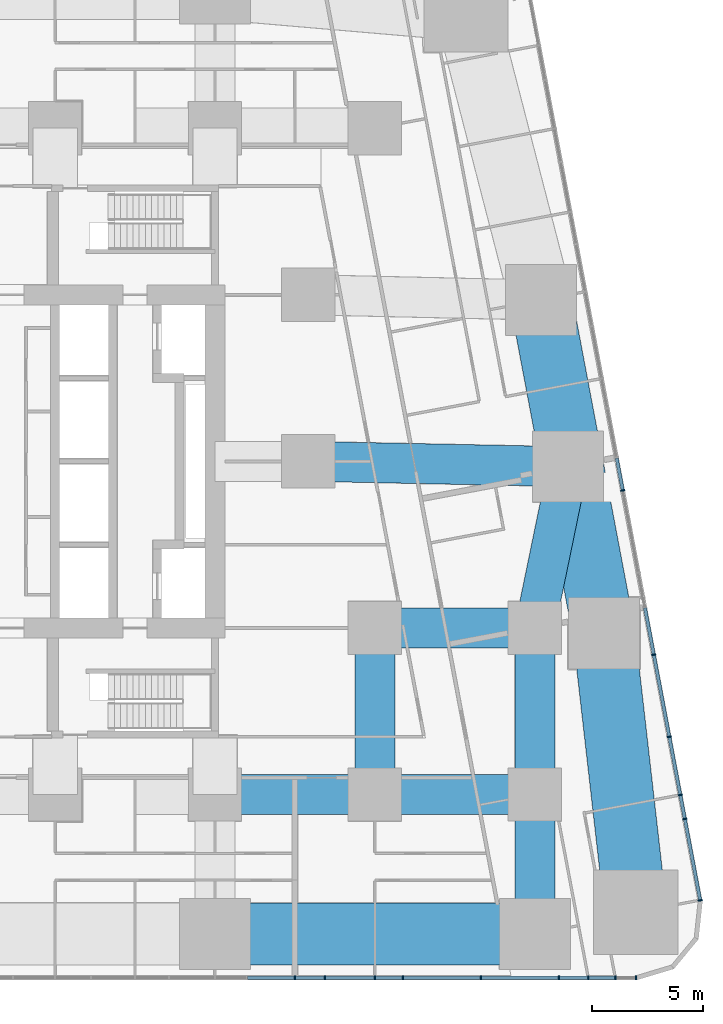
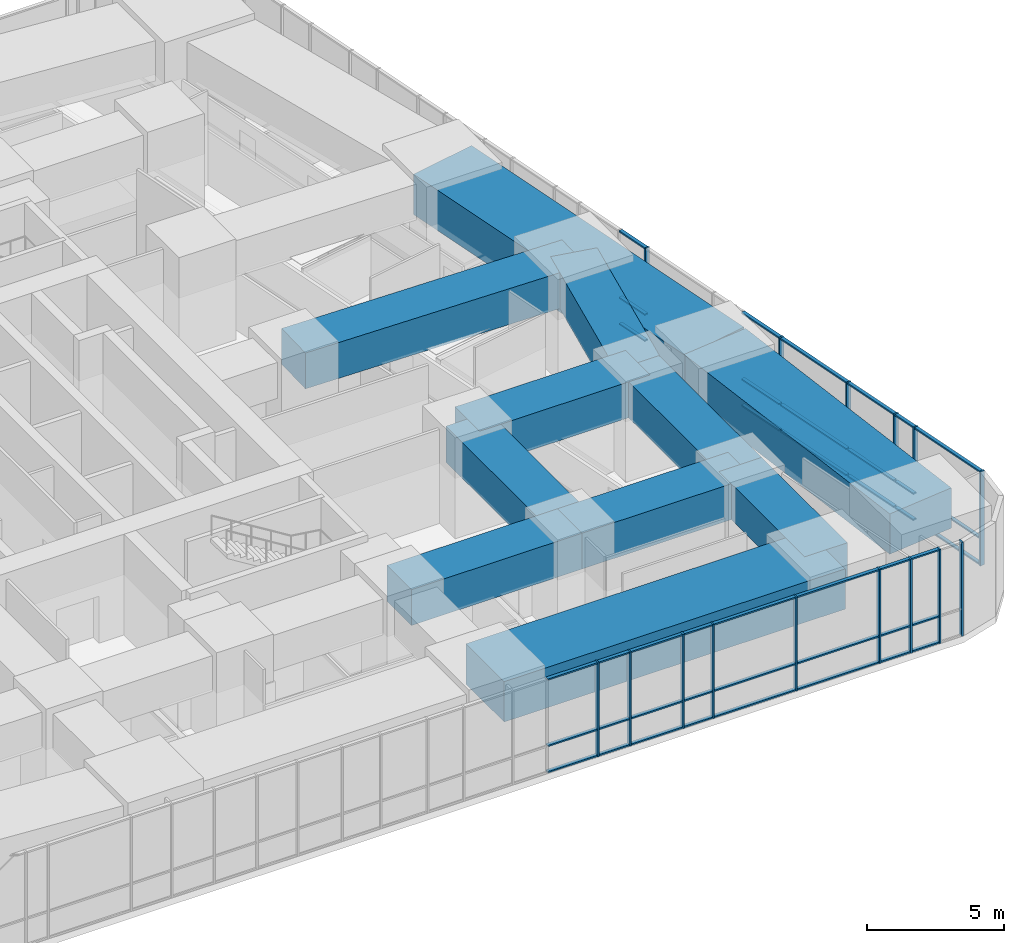
# One storey, part 5 of 23: 57 members, 11 beams, 2 elements without a shape of their own.
"""IFC4 building model written with IfcOpenShell, lengths in metres."""

from ifc_helpers import new_model, si_unit, direction, frame, origin, origin_2d, place, context, subcontext, project, spatial, rectangle, extrude, material, material_profile, profile_set, type_object, element, aggregate, save


model = new_model("IFC4")

# Units and contexts
model_context = context("Model", 3, precision=1e-05, world=origin(), true_north=direction((0.0, 1.0)))
body_context = subcontext(model_context, "Body", "Model", "MODEL_VIEW")
ifc_project = project(units=[si_unit("LENGTHUNIT", "METRE"), si_unit("AREAUNIT", "SQUARE_METRE"), si_unit("VOLUMEUNIT", "CUBIC_METRE"), si_unit("PLANEANGLEUNIT", "RADIAN"), si_unit("MASSUNIT", "GRAM", prefix="KILO")], contexts=[model_context])

# Site, building, storey
site_placement = place(None, origin())
site = spatial("IfcSite", under=ifc_project, at=site_placement, CompositionType="ELEMENT")
building_placement = place(site_placement, origin())
building = spatial("IfcBuilding", under=site, at=building_placement, Name="Sheger Commons Tower", CompositionType="ELEMENT")
storey_placement = place(building_placement, frame((0.0, 0.0, 5.60009765625)))
storey = spatial("IfcBuildingStorey", under=building, at=storey_placement, Name="L01", CompositionType="ELEMENT", Elevation=5.60009765625)

# Beams
ifc_material_1 = material(Name="Concrete C50/60", Category="concrete")
ifc_material_profile_1 = material_profile(ifc_material_1, rectangle(XDim=1.800048828125, YDim=1.60009765625, at=origin_2d()), Name="RC 1800x1600")
ifc_profile_set_1 = profile_set([ifc_material_profile_1], Name="Concrete C50/60")
beam_type_1 = type_object("IfcBeamType", Name="BEAM RC 1800x1600", PredefinedType="BEAM", material=ifc_profile_set_1)
for number, where, z_axis, x_axis, name in (
    (1, (28.800048828125, 7.5, 3.39990234375), (1.0, 0.0, 0.0), (0.0, 1.0, 0.0), "Beam 5/B-6/B under L02"),
    (2, (36.0, 7.5, 3.39990234375), (1.0, 0.0, 0.0), (0.0, 1.0, 0.0), "Beam 6/B-7/B under L02"),
    (3, (36.0, 15.0, 3.39990234375), (1.0, 0.0, 0.0), (0.0, 1.0, 0.0), "Beam 6/C-7/C under L02"),
):
    element("IfcBeam", number, at=place(storey_placement, frame(where, z_axis=z_axis, x_axis=x_axis)), inside=storey, type_object=beam_type_1, Name=name, PredefinedType="BEAM", context=body_context, shape_type="SweptSolid", body=[
        extrude(rectangle(XDim=1.800048828125, YDim=1.60009765625, at=origin_2d()), origin(), (0.0, 0.0, 1.0), 7.199951171875),
    ])
beam_1_placement = place(storey_placement, frame((33.0, 22.5, 3.39990234375), z_axis=(0.999794692776, -0.02026258368, 0.0), x_axis=(0.02026258368, 0.999794692776, 0.0)))
element("IfcBeam", 4, at=beam_1_placement, inside=storey, type_object=beam_type_1, Name="Beam 6-3000/D-7/D under L02", PredefinedType="BEAM", context=body_context, shape_type="SweptSolid", body=[
    extrude(rectangle(XDim=1.800048828125, YDim=1.60009765625, at=origin_2d()), origin(), (0.0, 0.0, 1.0), 11.699462890625),
])
beam_2_placement = place(storey_placement, frame((36.0, 7.5, 3.39990234375), z_axis=(0.0, 1.0, 0.0), x_axis=(-1.0, 0.0, 0.0)))
element("IfcBeam", 5, at=beam_2_placement, inside=storey, type_object=beam_type_1, Name="Beam 6/B-6/C under L02", PredefinedType="BEAM", context=body_context, shape_type="SweptSolid", body=[
    extrude(rectangle(XDim=1.800048828125, YDim=1.60009765625, at=origin_2d()), origin(), (0.0, 0.0, 1.0), 7.5),
])
beam_3_placement = place(storey_placement, frame((43.199951171875, 1.22509765625, 3.39990234375), z_axis=(0.0, 1.0, 0.0), x_axis=(-1.0, 0.0, 0.0)))
element("IfcBeam", 6, at=beam_3_placement, inside=storey, type_object=beam_type_1, Name="Beam 7/A-7/B under L02", PredefinedType="BEAM", context=body_context, shape_type="SweptSolid", body=[
    extrude(rectangle(XDim=1.800048828125, YDim=1.60009765625, at=origin_2d()), origin(), (0.0, 0.0, 1.0), 6.27490234375),
])
beam_4_placement = place(storey_placement, frame((43.199951171875, 7.5, 3.39990234375), z_axis=(0.0, 1.0, 0.0), x_axis=(-1.0, 0.0, 0.0)))
element("IfcBeam", 7, at=beam_4_placement, inside=storey, type_object=beam_type_1, Name="Beam 7/B-7/C under L02", PredefinedType="BEAM", context=body_context, shape_type="SweptSolid", body=[
    extrude(rectangle(XDim=1.800048828125, YDim=1.60009765625, at=origin_2d()), origin(), (0.0, 0.0, 1.0), 7.5),
])
beam_5_placement = place(storey_placement, frame((43.199951171875, 15.0, 3.39990234375), z_axis=(0.201880503661, 0.979410160373, 0.0), x_axis=(-0.979410160373, 0.201880503661, 0.0)))
element("IfcBeam", 8, at=beam_5_placement, inside=storey, type_object=beam_type_1, Name="Beam 7/C-7/D under L02", PredefinedType="BEAM", context=body_context, shape_type="SweptSolid", body=[
    extrude(rectangle(XDim=1.800048828125, YDim=1.60009765625, at=origin_2d()), origin(), (0.0, 0.0, 1.0), 7.41552734375),
])

# Curtain wall, members
ifc_material_2 = material(Name="Black aluminium curtain wall, dark tinted glazing", Category="aluminium")
curtain_wall_type = type_object("IfcCurtainWallType", Name="CURTAIN WALL CW2 HEALTH CENTRE", PredefinedType="USERDEFINED", material=ifc_material_2)
curtain_wall_1_placement = place(storey_placement, origin())
curtain_wall_1 = element("IfcCurtainWall", 9, at=curtain_wall_1_placement, inside=storey, type_object=curtain_wall_type, Name="Curtain Wall Cw2 Health Centre S1 L01", ObjectType="STICK CURTAIN WALL", PredefinedType="USERDEFINED")
ifc_material_3 = material(Name="Black anodised aluminium", Category="aluminium")
ifc_material_profile_2 = material_profile(ifc_material_3, rectangle(XDim=0.199951171875, YDim=0.06494140625, at=origin_2d()), Name="AL 65x200")
ifc_profile_set_2 = profile_set([ifc_material_profile_2], Name="Black anodised aluminium")
member_type_1 = type_object("IfcMemberType", Name="MULLION AL 65x200", PredefinedType="MULLION", material=ifc_profile_set_2)
member_1_placement = place(storey_placement, frame((32.39990234375, -0.75, 0.0), z_axis=(0.0, 0.0, 1.0), x_axis=(0.0, 1.0, 0.0)))
member_1 = element("IfcMember", 10, at=member_1_placement, type_object=member_type_1, Name="CW2 mullion 18", PredefinedType="MULLION", context=body_context, shape_type="SweptSolid", body=[
    extrude(rectangle(XDim=0.199951171875, YDim=0.06494140625, at=origin_2d()), origin(), (0.0, 0.0, 1.0), 4.199951171875),
])
member_2_placement = place(storey_placement, frame((33.751953125, -0.75, 0.0), z_axis=(0.0, 0.0, 1.0), x_axis=(0.0, 1.0, 0.0)))
member_2 = element("IfcMember", 11, at=member_2_placement, type_object=member_type_1, Name="CW2 mullion 19", PredefinedType="MULLION", context=body_context, shape_type="SweptSolid", body=[
    extrude(rectangle(XDim=0.199951171875, YDim=0.06494140625, at=origin_2d()), origin(), (0.0, 0.0, 1.0), 4.199951171875),
])
member_3_placement = place(storey_placement, frame((36.0, -0.75, 0.0), z_axis=(0.0, 0.0, 1.0), x_axis=(0.0, 1.0, 0.0)))
member_3 = element("IfcMember", 12, at=member_3_placement, type_object=member_type_1, Name="CW2 mullion 20", PredefinedType="MULLION", context=body_context, shape_type="SweptSolid", body=[
    extrude(rectangle(XDim=0.199951171875, YDim=0.06494140625, at=origin_2d()), origin(), (0.0, 0.0, 1.0), 4.199951171875),
])
member_4_placement = place(storey_placement, frame((37.260986328125, -0.75, 0.0), z_axis=(0.0, 0.0, 1.0), x_axis=(0.0, 1.0, 0.0)))
member_4 = element("IfcMember", 13, at=member_4_placement, type_object=member_type_1, Name="CW2 mullion 21", PredefinedType="MULLION", context=body_context, shape_type="SweptSolid", body=[
    extrude(rectangle(XDim=0.199951171875, YDim=0.06494140625, at=origin_2d()), origin(), (0.0, 0.0, 1.0), 4.199951171875),
])
member_5_placement = place(storey_placement, frame((40.77099609375, -0.75, 0.0), z_axis=(0.0, 0.0, 1.0), x_axis=(0.0, 1.0, 0.0)))
member_5 = element("IfcMember", 14, at=member_5_placement, type_object=member_type_1, Name="CW2 mullion 22", PredefinedType="MULLION", context=body_context, shape_type="SweptSolid", body=[
    extrude(rectangle(XDim=0.199951171875, YDim=0.06494140625, at=origin_2d()), origin(), (0.0, 0.0, 1.0), 4.199951171875),
])
member_6_placement = place(storey_placement, frame((44.281005859375, -0.75, 0.0), z_axis=(0.0, 0.0, 1.0), x_axis=(0.0, 1.0, 0.0)))
member_6 = element("IfcMember", 15, at=member_6_placement, type_object=member_type_1, Name="CW2 mullion 23", PredefinedType="MULLION", context=body_context, shape_type="SweptSolid", body=[
    extrude(rectangle(XDim=0.199951171875, YDim=0.06494140625, at=origin_2d()), origin(), (0.0, 0.0, 1.0), 4.199951171875),
])
member_7_placement = place(storey_placement, frame((45.60595703125, -0.75, 0.0), z_axis=(0.0, 0.0, 1.0), x_axis=(0.0, 1.0, 0.0)))
member_7 = element("IfcMember", 16, at=member_7_placement, type_object=member_type_1, Name="CW2 mullion 24", PredefinedType="MULLION", context=body_context, shape_type="SweptSolid", body=[
    extrude(rectangle(XDim=0.199951171875, YDim=0.06494140625, at=origin_2d()), origin(), (0.0, 0.0, 1.0), 4.199951171875),
])
member_8_placement = place(storey_placement, frame((46.826904296875, -0.75, 0.0), z_axis=(0.0, 0.0, 1.0), x_axis=(0.0, 1.0, 0.0)))
member_8 = element("IfcMember", 17, at=member_8_placement, type_object=member_type_1, Name="CW2 mullion 25", PredefinedType="MULLION", context=body_context, shape_type="SweptSolid", body=[
    extrude(rectangle(XDim=0.199951171875, YDim=0.06494140625, at=origin_2d()), origin(), (0.0, 0.0, 1.0), 4.199951171875),
])
member_9_placement = place(storey_placement, frame((47.758544921875, -0.75, 0.0), z_axis=(0.0, 0.0, 1.0), x_axis=(0.0, 1.0, 0.0)))
member_9 = element("IfcMember", 18, at=member_9_placement, type_object=member_type_1, Name="CW2 mullion 26", PredefinedType="MULLION", context=body_context, shape_type="SweptSolid", body=[
    extrude(rectangle(XDim=0.199951171875, YDim=0.06494140625, at=origin_2d()), origin(), (0.0, 0.0, 1.0), 4.199951171875),
])

curtain_wall_2_placement = place(storey_placement, origin())
curtain_wall_2 = element("IfcCurtainWall", 19, at=curtain_wall_2_placement, inside=storey, type_object=curtain_wall_type, Name="Curtain Wall Cw2 Health Centre E1 L01", ObjectType="STICK CURTAIN WALL", PredefinedType="USERDEFINED")
member_10_placement = place(storey_placement, frame((50.64697265625, 2.73486328125, 0.0), z_axis=(0.0, 0.0, 1.0), x_axis=(-0.982623514181, -0.185609884918, 0.0)))
member_10 = element("IfcMember", 20, at=member_10_placement, type_object=member_type_1, Name="CW2 mullion 1", PredefinedType="MULLION", context=body_context, shape_type="SweptSolid", body=[
    extrude(rectangle(XDim=0.199951171875, YDim=0.06494140625, at=origin_2d()), origin(), (0.0, 0.0, 1.0), 4.199951171875),
])
member_11_placement = place(storey_placement, frame((49.95458984375, 6.400634765625, 0.0), z_axis=(0.0, 0.0, 1.0), x_axis=(-0.982623514181, -0.185609884918, 0.0)))
member_11 = element("IfcMember", 21, at=member_11_placement, type_object=member_type_1, Name="CW2 mullion 2", PredefinedType="MULLION", context=body_context, shape_type="SweptSolid", body=[
    extrude(rectangle(XDim=0.199951171875, YDim=0.06494140625, at=origin_2d()), origin(), (0.0, 0.0, 1.0), 4.199951171875),
])
member_12_placement = place(storey_placement, frame((49.75048828125, 7.4814453125, 0.0), z_axis=(0.0, 0.0, 1.0), x_axis=(-0.982623514181, -0.185609884918, 0.0)))
member_12 = element("IfcMember", 22, at=member_12_placement, type_object=member_type_1, Name="CW2 mullion 3", PredefinedType="MULLION", context=body_context, shape_type="SweptSolid", body=[
    extrude(rectangle(XDim=0.199951171875, YDim=0.06494140625, at=origin_2d()), origin(), (0.0, 0.0, 1.0), 4.199951171875),
])
member_13_placement = place(storey_placement, frame((49.256103515625, 10.09814453125, 0.0), z_axis=(0.0, 0.0, 1.0), x_axis=(-0.982623514181, -0.185609884918, 0.0)))
member_13 = element("IfcMember", 23, at=member_13_placement, type_object=member_type_1, Name="CW2 mullion 4", PredefinedType="MULLION", context=body_context, shape_type="SweptSolid", body=[
    extrude(rectangle(XDim=0.199951171875, YDim=0.06494140625, at=origin_2d()), origin(), (0.0, 0.0, 1.0), 4.199951171875),
])
member_14_placement = place(storey_placement, frame((48.5576171875, 13.7958984375, 0.0), z_axis=(0.0, 0.0, 1.0), x_axis=(-0.982623514181, -0.185609884918, 0.0)))
member_14 = element("IfcMember", 24, at=member_14_placement, type_object=member_type_1, Name="CW2 mullion 5", PredefinedType="MULLION", context=body_context, shape_type="SweptSolid", body=[
    extrude(rectangle(XDim=0.199951171875, YDim=0.06494140625, at=origin_2d()), origin(), (0.0, 0.0, 1.0), 4.199951171875),
])
member_15_placement = place(storey_placement, frame((47.16064453125, 21.191162109375, 0.0), z_axis=(0.0, 0.0, 1.0), x_axis=(-0.982623514181, -0.185609884918, 0.0)))
member_15 = element("IfcMember", 25, at=member_15_placement, type_object=member_type_1, Name="CW2 mullion 9", PredefinedType="MULLION", context=body_context, shape_type="SweptSolid", body=[
    extrude(rectangle(XDim=0.199951171875, YDim=0.06494140625, at=origin_2d()), origin(), (0.0, 0.0, 1.0), 4.199951171875),
])

# Beams
ifc_material_4 = material(Name="Concrete C50/60", Category="concrete")
ifc_material_profile_3 = material_profile(ifc_material_4, rectangle(XDim=2.800048828125, YDim=1.800048828125, at=origin_2d()), Name="RC 2800x1800")
ifc_profile_set_3 = profile_set([ifc_material_profile_3], Name="Concrete C50/60")
beam_type_2 = type_object("IfcBeamType", Name="SPANDREL RC 2800x1800", PredefinedType="SPANDREL", material=ifc_profile_set_3)
beam_6_placement = place(storey_placement, frame((28.800048828125, 1.22509765625, 3.2998046875), z_axis=(1.0, 0.0, 0.0), x_axis=(0.0, 1.0, 0.0)))
element("IfcBeam", 26, at=beam_6_placement, inside=storey, type_object=beam_type_2, Name="Beam 5/A-7/A under L02", PredefinedType="SPANDREL", context=body_context, shape_type="SweptSolid", body=[
    extrude(rectangle(XDim=2.800048828125, YDim=1.800048828125, at=origin_2d()), origin(), (0.0, 0.0, 1.0), 14.39990234375),
])
beam_7_placement = place(storey_placement, frame((47.748046875, 2.197021484375, 3.2998046875), z_axis=(-0.113388708633, 0.993550703666, 0.0), x_axis=(-0.993550703666, -0.113388708633, 0.0)))
element("IfcBeam", 27, at=beam_7_placement, inside=storey, type_object=beam_type_2, Name="Beam 49.461,0.778-E/C under L02", PredefinedType="SPANDREL", context=body_context, shape_type="SweptSolid", body=[
    extrude(rectangle(XDim=2.800048828125, YDim=1.800048828125, at=origin_2d()), origin(), (0.0, 0.0, 1.0), 12.6474609375),
])
beam_8_placement = place(storey_placement, frame((46.31396484375, 14.762939453125, 3.2998046875), z_axis=(-0.185647953645, 0.982616322533, 0.0), x_axis=(-0.982616322533, -0.185647953645, 0.0)))
element("IfcBeam", 28, at=beam_8_placement, inside=storey, type_object=beam_type_2, Name="Beam E/C-E/E under L02", PredefinedType="SPANDREL", context=body_context, shape_type="SweptSolid", body=[
    extrude(rectangle(XDim=2.800048828125, YDim=1.800048828125, at=origin_2d()), origin(), (0.0, 0.0, 1.0), 15.265380859375),
])

# Member
ifc_material_5 = material(Name="Black anodised aluminium", Category="aluminium")
ifc_material_profile_4 = material_profile(ifc_material_5, rectangle(XDim=0.14990234375, YDim=0.06494140625, at=origin_2d()), Name="AL 65x150")
ifc_profile_set_4 = profile_set([ifc_material_profile_4], Name="Black anodised aluminium")
member_type_2 = type_object("IfcMemberType", Name="TRANSOM AL 65x150", PredefinedType="USERDEFINED", material=ifc_profile_set_4)
member_16_placement = place(storey_placement, frame((30.2744140625, -0.75, 0.032470703125), z_axis=(1.0, 0.0, 0.0), x_axis=(0.0, 1.0, 0.0)))
member_16 = element("IfcMember", 29, at=member_16_placement, type_object=member_type_2, Name="CW2 transom 17.1", ObjectType="TRANSOM", PredefinedType="USERDEFINED", context=body_context, shape_type="SweptSolid", body=[
    extrude(rectangle(XDim=0.14990234375, YDim=0.06494140625, at=origin_2d()), origin(), (0.0, 0.0, 1.0), 2.093017578125),
])

member_17_placement = place(storey_placement, frame((30.2744140625, -0.75, 1.199951171875), z_axis=(1.0, 0.0, 0.0), x_axis=(0.0, 1.0, 0.0)))
member_17 = element("IfcMember", 30, at=member_17_placement, type_object=member_type_2, Name="CW2 transom 17.2", ObjectType="TRANSOM", PredefinedType="USERDEFINED", context=body_context, shape_type="SweptSolid", body=[
    extrude(rectangle(XDim=0.14990234375, YDim=0.06494140625, at=origin_2d()), origin(), (0.0, 0.0, 1.0), 2.093017578125),
])

member_18_placement = place(storey_placement, frame((30.2744140625, -0.75, 4.16748046875), z_axis=(1.0, 0.0, 0.0), x_axis=(0.0, 1.0, 0.0)))
member_18 = element("IfcMember", 31, at=member_18_placement, type_object=member_type_2, Name="CW2 transom 17.3", ObjectType="TRANSOM", PredefinedType="USERDEFINED", context=body_context, shape_type="SweptSolid", body=[
    extrude(rectangle(XDim=0.14990234375, YDim=0.06494140625, at=origin_2d()), origin(), (0.0, 0.0, 1.0), 2.093017578125),
])

member_19_placement = place(storey_placement, frame((32.4326171875, -0.75, 0.032470703125), z_axis=(1.0, 0.0, 0.0), x_axis=(0.0, 1.0, 0.0)))
member_19 = element("IfcMember", 32, at=member_19_placement, type_object=member_type_2, Name="CW2 transom 18.1", ObjectType="TRANSOM", PredefinedType="USERDEFINED", context=body_context, shape_type="SweptSolid", body=[
    extrude(rectangle(XDim=0.14990234375, YDim=0.06494140625, at=origin_2d()), origin(), (0.0, 0.0, 1.0), 1.286865234375),
])

member_20_placement = place(storey_placement, frame((32.4326171875, -0.75, 1.199951171875), z_axis=(1.0, 0.0, 0.0), x_axis=(0.0, 1.0, 0.0)))
member_20 = element("IfcMember", 33, at=member_20_placement, type_object=member_type_2, Name="CW2 transom 18.2", ObjectType="TRANSOM", PredefinedType="USERDEFINED", context=body_context, shape_type="SweptSolid", body=[
    extrude(rectangle(XDim=0.14990234375, YDim=0.06494140625, at=origin_2d()), origin(), (0.0, 0.0, 1.0), 1.286865234375),
])

member_21_placement = place(storey_placement, frame((32.4326171875, -0.75, 4.16748046875), z_axis=(1.0, 0.0, 0.0), x_axis=(0.0, 1.0, 0.0)))
member_21 = element("IfcMember", 34, at=member_21_placement, type_object=member_type_2, Name="CW2 transom 18.3", ObjectType="TRANSOM", PredefinedType="USERDEFINED", context=body_context, shape_type="SweptSolid", body=[
    extrude(rectangle(XDim=0.14990234375, YDim=0.06494140625, at=origin_2d()), origin(), (0.0, 0.0, 1.0), 1.286865234375),
])

member_22_placement = place(storey_placement, frame((33.784423828125, -0.75, 0.032470703125), z_axis=(1.0, 0.0, 0.0), x_axis=(0.0, 1.0, 0.0)))
member_22 = element("IfcMember", 35, at=member_22_placement, type_object=member_type_2, Name="CW2 transom 19.1", ObjectType="TRANSOM", PredefinedType="USERDEFINED", context=body_context, shape_type="SweptSolid", body=[
    extrude(rectangle(XDim=0.14990234375, YDim=0.06494140625, at=origin_2d()), origin(), (0.0, 0.0, 1.0), 2.18310546875),
])

member_23_placement = place(storey_placement, frame((33.784423828125, -0.75, 1.199951171875), z_axis=(1.0, 0.0, 0.0), x_axis=(0.0, 1.0, 0.0)))
member_23 = element("IfcMember", 36, at=member_23_placement, type_object=member_type_2, Name="CW2 transom 19.2", ObjectType="TRANSOM", PredefinedType="USERDEFINED", context=body_context, shape_type="SweptSolid", body=[
    extrude(rectangle(XDim=0.14990234375, YDim=0.06494140625, at=origin_2d()), origin(), (0.0, 0.0, 1.0), 2.18310546875),
])

member_24_placement = place(storey_placement, frame((33.784423828125, -0.75, 4.16748046875), z_axis=(1.0, 0.0, 0.0), x_axis=(0.0, 1.0, 0.0)))
member_24 = element("IfcMember", 37, at=member_24_placement, type_object=member_type_2, Name="CW2 transom 19.3", ObjectType="TRANSOM", PredefinedType="USERDEFINED", context=body_context, shape_type="SweptSolid", body=[
    extrude(rectangle(XDim=0.14990234375, YDim=0.06494140625, at=origin_2d()), origin(), (0.0, 0.0, 1.0), 2.18310546875),
])

member_25_placement = place(storey_placement, frame((36.032470703125, -0.75, 0.032470703125), z_axis=(1.0, 0.0, 0.0), x_axis=(0.0, 1.0, 0.0)))
member_25 = element("IfcMember", 38, at=member_25_placement, type_object=member_type_2, Name="CW2 transom 20.1", ObjectType="TRANSOM", PredefinedType="USERDEFINED", context=body_context, shape_type="SweptSolid", body=[
    extrude(rectangle(XDim=0.14990234375, YDim=0.06494140625, at=origin_2d()), origin(), (0.0, 0.0, 1.0), 1.196044921875),
])

member_26_placement = place(storey_placement, frame((36.032470703125, -0.75, 1.199951171875), z_axis=(1.0, 0.0, 0.0), x_axis=(0.0, 1.0, 0.0)))
member_26 = element("IfcMember", 39, at=member_26_placement, type_object=member_type_2, Name="CW2 transom 20.2", ObjectType="TRANSOM", PredefinedType="USERDEFINED", context=body_context, shape_type="SweptSolid", body=[
    extrude(rectangle(XDim=0.14990234375, YDim=0.06494140625, at=origin_2d()), origin(), (0.0, 0.0, 1.0), 1.196044921875),
])

member_27_placement = place(storey_placement, frame((36.032470703125, -0.75, 4.16748046875), z_axis=(1.0, 0.0, 0.0), x_axis=(0.0, 1.0, 0.0)))
member_27 = element("IfcMember", 40, at=member_27_placement, type_object=member_type_2, Name="CW2 transom 20.3", ObjectType="TRANSOM", PredefinedType="USERDEFINED", context=body_context, shape_type="SweptSolid", body=[
    extrude(rectangle(XDim=0.14990234375, YDim=0.06494140625, at=origin_2d()), origin(), (0.0, 0.0, 1.0), 1.196044921875),
])

member_28_placement = place(storey_placement, frame((37.29345703125, -0.75, 0.032470703125), z_axis=(1.0, 0.0, 0.0), x_axis=(0.0, 1.0, 0.0)))
member_28 = element("IfcMember", 41, at=member_28_placement, type_object=member_type_2, Name="CW2 transom 21.1", ObjectType="TRANSOM", PredefinedType="USERDEFINED", context=body_context, shape_type="SweptSolid", body=[
    extrude(rectangle(XDim=0.14990234375, YDim=0.06494140625, at=origin_2d()), origin(), (0.0, 0.0, 1.0), 3.445068359375),
])

member_29_placement = place(storey_placement, frame((37.29345703125, -0.75, 1.199951171875), z_axis=(1.0, 0.0, 0.0), x_axis=(0.0, 1.0, 0.0)))
member_29 = element("IfcMember", 42, at=member_29_placement, type_object=member_type_2, Name="CW2 transom 21.2", ObjectType="TRANSOM", PredefinedType="USERDEFINED", context=body_context, shape_type="SweptSolid", body=[
    extrude(rectangle(XDim=0.14990234375, YDim=0.06494140625, at=origin_2d()), origin(), (0.0, 0.0, 1.0), 3.445068359375),
])

member_30_placement = place(storey_placement, frame((37.29345703125, -0.75, 4.16748046875), z_axis=(1.0, 0.0, 0.0), x_axis=(0.0, 1.0, 0.0)))
member_30 = element("IfcMember", 43, at=member_30_placement, type_object=member_type_2, Name="CW2 transom 21.3", ObjectType="TRANSOM", PredefinedType="USERDEFINED", context=body_context, shape_type="SweptSolid", body=[
    extrude(rectangle(XDim=0.14990234375, YDim=0.06494140625, at=origin_2d()), origin(), (0.0, 0.0, 1.0), 3.445068359375),
])

member_31_placement = place(storey_placement, frame((40.803466796875, -0.75, 0.032470703125), z_axis=(1.0, 0.0, 0.0), x_axis=(0.0, 1.0, 0.0)))
member_31 = element("IfcMember", 44, at=member_31_placement, type_object=member_type_2, Name="CW2 transom 22.1", ObjectType="TRANSOM", PredefinedType="USERDEFINED", context=body_context, shape_type="SweptSolid", body=[
    extrude(rectangle(XDim=0.14990234375, YDim=0.06494140625, at=origin_2d()), origin(), (0.0, 0.0, 1.0), 3.445068359375),
])

member_32_placement = place(storey_placement, frame((40.803466796875, -0.75, 1.199951171875), z_axis=(1.0, 0.0, 0.0), x_axis=(0.0, 1.0, 0.0)))
member_32 = element("IfcMember", 45, at=member_32_placement, type_object=member_type_2, Name="CW2 transom 22.2", ObjectType="TRANSOM", PredefinedType="USERDEFINED", context=body_context, shape_type="SweptSolid", body=[
    extrude(rectangle(XDim=0.14990234375, YDim=0.06494140625, at=origin_2d()), origin(), (0.0, 0.0, 1.0), 3.445068359375),
])

member_33_placement = place(storey_placement, frame((40.803466796875, -0.75, 4.16748046875), z_axis=(1.0, 0.0, 0.0), x_axis=(0.0, 1.0, 0.0)))
member_33 = element("IfcMember", 46, at=member_33_placement, type_object=member_type_2, Name="CW2 transom 22.3", ObjectType="TRANSOM", PredefinedType="USERDEFINED", context=body_context, shape_type="SweptSolid", body=[
    extrude(rectangle(XDim=0.14990234375, YDim=0.06494140625, at=origin_2d()), origin(), (0.0, 0.0, 1.0), 3.445068359375),
])

member_34_placement = place(storey_placement, frame((44.3134765625, -0.75, 0.032470703125), z_axis=(1.0, 0.0, 0.0), x_axis=(0.0, 1.0, 0.0)))
member_34 = element("IfcMember", 47, at=member_34_placement, type_object=member_type_2, Name="CW2 transom 23.1", ObjectType="TRANSOM", PredefinedType="USERDEFINED", context=body_context, shape_type="SweptSolid", body=[
    extrude(rectangle(XDim=0.14990234375, YDim=0.06494140625, at=origin_2d()), origin(), (0.0, 0.0, 1.0), 1.260009765625),
])

member_35_placement = place(storey_placement, frame((44.3134765625, -0.75, 1.199951171875), z_axis=(1.0, 0.0, 0.0), x_axis=(0.0, 1.0, 0.0)))
member_35 = element("IfcMember", 48, at=member_35_placement, type_object=member_type_2, Name="CW2 transom 23.2", ObjectType="TRANSOM", PredefinedType="USERDEFINED", context=body_context, shape_type="SweptSolid", body=[
    extrude(rectangle(XDim=0.14990234375, YDim=0.06494140625, at=origin_2d()), origin(), (0.0, 0.0, 1.0), 1.260009765625),
])

member_36_placement = place(storey_placement, frame((44.3134765625, -0.75, 4.16748046875), z_axis=(1.0, 0.0, 0.0), x_axis=(0.0, 1.0, 0.0)))
member_36 = element("IfcMember", 49, at=member_36_placement, type_object=member_type_2, Name="CW2 transom 23.3", ObjectType="TRANSOM", PredefinedType="USERDEFINED", context=body_context, shape_type="SweptSolid", body=[
    extrude(rectangle(XDim=0.14990234375, YDim=0.06494140625, at=origin_2d()), origin(), (0.0, 0.0, 1.0), 1.260009765625),
])

member_37_placement = place(storey_placement, frame((45.638427734375, -0.75, 0.032470703125), z_axis=(1.0, 0.0, 0.0), x_axis=(0.0, 1.0, 0.0)))
member_37 = element("IfcMember", 50, at=member_37_placement, type_object=member_type_2, Name="CW2 transom 24.1", ObjectType="TRANSOM", PredefinedType="USERDEFINED", context=body_context, shape_type="SweptSolid", body=[
    extrude(rectangle(XDim=0.14990234375, YDim=0.06494140625, at=origin_2d()), origin(), (0.0, 0.0, 1.0), 1.156005859375),
])

member_38_placement = place(storey_placement, frame((45.638427734375, -0.75, 1.199951171875), z_axis=(1.0, 0.0, 0.0), x_axis=(0.0, 1.0, 0.0)))
member_38 = element("IfcMember", 51, at=member_38_placement, type_object=member_type_2, Name="CW2 transom 24.2", ObjectType="TRANSOM", PredefinedType="USERDEFINED", context=body_context, shape_type="SweptSolid", body=[
    extrude(rectangle(XDim=0.14990234375, YDim=0.06494140625, at=origin_2d()), origin(), (0.0, 0.0, 1.0), 1.156005859375),
])

member_39_placement = place(storey_placement, frame((45.638427734375, -0.75, 4.16748046875), z_axis=(1.0, 0.0, 0.0), x_axis=(0.0, 1.0, 0.0)))
member_39 = element("IfcMember", 52, at=member_39_placement, type_object=member_type_2, Name="CW2 transom 24.3", ObjectType="TRANSOM", PredefinedType="USERDEFINED", context=body_context, shape_type="SweptSolid", body=[
    extrude(rectangle(XDim=0.14990234375, YDim=0.06494140625, at=origin_2d()), origin(), (0.0, 0.0, 1.0), 1.156005859375),
])

aggregate(curtain_wall_1, [member_1, member_2, member_3, member_4, member_5, member_6, member_7, member_8, member_9, member_16, member_17, member_18, member_19, member_20, member_21, member_22, member_23, member_24, member_25, member_26, member_27, member_28, member_29, member_30, member_31, member_32, member_33, member_34, member_35, member_36, member_37, member_38, member_39])

member_40_placement = place(storey_placement, frame((50.640869140625, 2.766845703125, 0.032470703125), z_axis=(-0.185563185982, 0.982632334095, 0.0), x_axis=(-0.982632334095, -0.185563185982, 0.0)))
member_40 = element("IfcMember", 53, at=member_40_placement, type_object=member_type_2, Name="CW2 transom 1.1", ObjectType="TRANSOM", PredefinedType="USERDEFINED", context=body_context, shape_type="SweptSolid", body=[
    extrude(rectangle(XDim=0.14990234375, YDim=0.06494140625, at=origin_2d()), origin(), (0.0, 0.0, 1.0), 3.66552734375),
])

member_41_placement = place(storey_placement, frame((50.640869140625, 2.766845703125, 1.199951171875), z_axis=(-0.185563185982, 0.982632334095, 0.0), x_axis=(-0.982632334095, -0.185563185982, 0.0)))
member_41 = element("IfcMember", 54, at=member_41_placement, type_object=member_type_2, Name="CW2 transom 1.2", ObjectType="TRANSOM", PredefinedType="USERDEFINED", context=body_context, shape_type="SweptSolid", body=[
    extrude(rectangle(XDim=0.14990234375, YDim=0.06494140625, at=origin_2d()), origin(), (0.0, 0.0, 1.0), 3.66552734375),
])

member_42_placement = place(storey_placement, frame((50.640869140625, 2.766845703125, 4.16748046875), z_axis=(-0.185563185982, 0.982632334095, 0.0), x_axis=(-0.982632334095, -0.185563185982, 0.0)))
member_42 = element("IfcMember", 55, at=member_42_placement, type_object=member_type_2, Name="CW2 transom 1.3", ObjectType="TRANSOM", PredefinedType="USERDEFINED", context=body_context, shape_type="SweptSolid", body=[
    extrude(rectangle(XDim=0.14990234375, YDim=0.06494140625, at=origin_2d()), origin(), (0.0, 0.0, 1.0), 3.66552734375),
])

member_43_placement = place(storey_placement, frame((49.948486328125, 6.4326171875, 0.032470703125), z_axis=(-0.185670050436, 0.982612147478, 0.0), x_axis=(-0.982612147478, -0.185670050436, 0.0)))
member_43 = element("IfcMember", 56, at=member_43_placement, type_object=member_type_2, Name="CW2 transom 2.1", ObjectType="TRANSOM", PredefinedType="USERDEFINED", context=body_context, shape_type="SweptSolid", body=[
    extrude(rectangle(XDim=0.14990234375, YDim=0.06494140625, at=origin_2d()), origin(), (0.0, 0.0, 1.0), 1.034912109375),
])

member_44_placement = place(storey_placement, frame((49.948486328125, 6.4326171875, 1.199951171875), z_axis=(-0.185670050436, 0.982612147478, 0.0), x_axis=(-0.982612147478, -0.185670050436, 0.0)))
member_44 = element("IfcMember", 57, at=member_44_placement, type_object=member_type_2, Name="CW2 transom 2.2", ObjectType="TRANSOM", PredefinedType="USERDEFINED", context=body_context, shape_type="SweptSolid", body=[
    extrude(rectangle(XDim=0.14990234375, YDim=0.06494140625, at=origin_2d()), origin(), (0.0, 0.0, 1.0), 1.034912109375),
])

member_45_placement = place(storey_placement, frame((49.948486328125, 6.4326171875, 4.16748046875), z_axis=(-0.185670050436, 0.982612147478, 0.0), x_axis=(-0.982612147478, -0.185670050436, 0.0)))
member_45 = element("IfcMember", 58, at=member_45_placement, type_object=member_type_2, Name="CW2 transom 2.3", ObjectType="TRANSOM", PredefinedType="USERDEFINED", context=body_context, shape_type="SweptSolid", body=[
    extrude(rectangle(XDim=0.14990234375, YDim=0.06494140625, at=origin_2d()), origin(), (0.0, 0.0, 1.0), 1.034912109375),
])

member_46_placement = place(storey_placement, frame((49.744384765625, 7.513427734375, 0.032470703125), z_axis=(-0.185587620355, 0.982627719521, 0.0), x_axis=(-0.982627719521, -0.185587620355, 0.0)))
member_46 = element("IfcMember", 59, at=member_46_placement, type_object=member_type_2, Name="CW2 transom 3.1", ObjectType="TRANSOM", PredefinedType="USERDEFINED", context=body_context, shape_type="SweptSolid", body=[
    extrude(rectangle(XDim=0.14990234375, YDim=0.06494140625, at=origin_2d()), origin(), (0.0, 0.0, 1.0), 2.59814453125),
])

member_47_placement = place(storey_placement, frame((49.744384765625, 7.513427734375, 1.199951171875), z_axis=(-0.185587620355, 0.982627719521, 0.0), x_axis=(-0.982627719521, -0.185587620355, 0.0)))
member_47 = element("IfcMember", 60, at=member_47_placement, type_object=member_type_2, Name="CW2 transom 3.2", ObjectType="TRANSOM", PredefinedType="USERDEFINED", context=body_context, shape_type="SweptSolid", body=[
    extrude(rectangle(XDim=0.14990234375, YDim=0.06494140625, at=origin_2d()), origin(), (0.0, 0.0, 1.0), 2.59814453125),
])

member_48_placement = place(storey_placement, frame((49.744384765625, 7.513427734375, 4.16748046875), z_axis=(-0.185587620355, 0.982627719521, 0.0), x_axis=(-0.982627719521, -0.185587620355, 0.0)))
member_48 = element("IfcMember", 61, at=member_48_placement, type_object=member_type_2, Name="CW2 transom 3.3", ObjectType="TRANSOM", PredefinedType="USERDEFINED", context=body_context, shape_type="SweptSolid", body=[
    extrude(rectangle(XDim=0.14990234375, YDim=0.06494140625, at=origin_2d()), origin(), (0.0, 0.0, 1.0), 2.59814453125),
])

member_49_placement = place(storey_placement, frame((49.25, 10.130126953125, 0.032470703125), z_axis=(-0.185579860214, 0.982629185137, 0.0), x_axis=(-0.982629185137, -0.185579860214, 0.0)))
member_49 = element("IfcMember", 62, at=member_49_placement, type_object=member_type_2, Name="CW2 transom 4.1", ObjectType="TRANSOM", PredefinedType="USERDEFINED", context=body_context, shape_type="SweptSolid", body=[
    extrude(rectangle(XDim=0.14990234375, YDim=0.06494140625, at=origin_2d()), origin(), (0.0, 0.0, 1.0), 3.697998046875),
])

member_50_placement = place(storey_placement, frame((49.25, 10.130126953125, 1.199951171875), z_axis=(-0.185579860214, 0.982629185137, 0.0), x_axis=(-0.982629185137, -0.185579860214, 0.0)))
member_50 = element("IfcMember", 63, at=member_50_placement, type_object=member_type_2, Name="CW2 transom 4.2", ObjectType="TRANSOM", PredefinedType="USERDEFINED", context=body_context, shape_type="SweptSolid", body=[
    extrude(rectangle(XDim=0.14990234375, YDim=0.06494140625, at=origin_2d()), origin(), (0.0, 0.0, 1.0), 3.697998046875),
])

member_51_placement = place(storey_placement, frame((49.25, 10.130126953125, 4.16748046875), z_axis=(-0.185579860214, 0.982629185137, 0.0), x_axis=(-0.982629185137, -0.185579860214, 0.0)))
member_51 = element("IfcMember", 64, at=member_51_placement, type_object=member_type_2, Name="CW2 transom 4.3", ObjectType="TRANSOM", PredefinedType="USERDEFINED", context=body_context, shape_type="SweptSolid", body=[
    extrude(rectangle(XDim=0.14990234375, YDim=0.06494140625, at=origin_2d()), origin(), (0.0, 0.0, 1.0), 3.697998046875),
])

member_52_placement = place(storey_placement, frame((48.551513671875, 13.827880859375, 0.032470703125), z_axis=(-0.185544762354, 0.982635813088, 0.0), x_axis=(-0.982635813088, -0.185544762354, 0.0)))
member_52 = element("IfcMember", 65, at=member_52_placement, type_object=member_type_2, Name="CW2 transom 5.1", ObjectType="TRANSOM", PredefinedType="USERDEFINED", context=body_context, shape_type="SweptSolid", body=[
    extrude(rectangle(XDim=0.14990234375, YDim=0.06494140625, at=origin_2d()), origin(), (0.0, 0.0, 1.0), 2.11181640625),
])

member_53_placement = place(storey_placement, frame((48.551513671875, 13.827880859375, 1.199951171875), z_axis=(-0.185544762354, 0.982635813088, 0.0), x_axis=(-0.982635813088, -0.185544762354, 0.0)))
member_53 = element("IfcMember", 66, at=member_53_placement, type_object=member_type_2, Name="CW2 transom 5.2", ObjectType="TRANSOM", PredefinedType="USERDEFINED", context=body_context, shape_type="SweptSolid", body=[
    extrude(rectangle(XDim=0.14990234375, YDim=0.06494140625, at=origin_2d()), origin(), (0.0, 0.0, 1.0), 2.11181640625),
])

member_54_placement = place(storey_placement, frame((48.551513671875, 13.827880859375, 4.16748046875), z_axis=(-0.185544762354, 0.982635813088, 0.0), x_axis=(-0.982635813088, -0.185544762354, 0.0)))
member_54 = element("IfcMember", 67, at=member_54_placement, type_object=member_type_2, Name="CW2 transom 5.3", ObjectType="TRANSOM", PredefinedType="USERDEFINED", context=body_context, shape_type="SweptSolid", body=[
    extrude(rectangle(XDim=0.14990234375, YDim=0.06494140625, at=origin_2d()), origin(), (0.0, 0.0, 1.0), 2.11181640625),
])

member_55_placement = place(storey_placement, frame((47.15478515625, 21.222900390625, 0.032470703125), z_axis=(-0.185675651136, 0.982611089178, 0.0), x_axis=(-0.982611089178, -0.185675651136, 0.0)))
member_55 = element("IfcMember", 68, at=member_55_placement, type_object=member_type_2, Name="CW2 transom 9.1", ObjectType="TRANSOM", PredefinedType="USERDEFINED", context=body_context, shape_type="SweptSolid", body=[
    extrude(rectangle(XDim=0.14990234375, YDim=0.06494140625, at=origin_2d()), origin(), (0.0, 0.0, 1.0), 1.445068359375),
])

member_56_placement = place(storey_placement, frame((47.15478515625, 21.222900390625, 1.199951171875), z_axis=(-0.185675651136, 0.982611089178, 0.0), x_axis=(-0.982611089178, -0.185675651136, 0.0)))
member_56 = element("IfcMember", 69, at=member_56_placement, type_object=member_type_2, Name="CW2 transom 9.2", ObjectType="TRANSOM", PredefinedType="USERDEFINED", context=body_context, shape_type="SweptSolid", body=[
    extrude(rectangle(XDim=0.14990234375, YDim=0.06494140625, at=origin_2d()), origin(), (0.0, 0.0, 1.0), 1.445068359375),
])

member_57_placement = place(storey_placement, frame((47.15478515625, 21.222900390625, 4.16748046875), z_axis=(-0.185675651136, 0.982611089178, 0.0), x_axis=(-0.982611089178, -0.185675651136, 0.0)))
member_57 = element("IfcMember", 70, at=member_57_placement, type_object=member_type_2, Name="CW2 transom 9.3", ObjectType="TRANSOM", PredefinedType="USERDEFINED", context=body_context, shape_type="SweptSolid", body=[
    extrude(rectangle(XDim=0.14990234375, YDim=0.06494140625, at=origin_2d()), origin(), (0.0, 0.0, 1.0), 1.445068359375),
])

aggregate(curtain_wall_2, [member_10, member_11, member_12, member_13, member_14, member_15, member_40, member_41, member_42, member_43, member_44, member_45, member_46, member_47, member_48, member_49, member_50, member_51, member_52, member_53, member_54, member_55, member_56, member_57])

save(model, "model.ifc")
